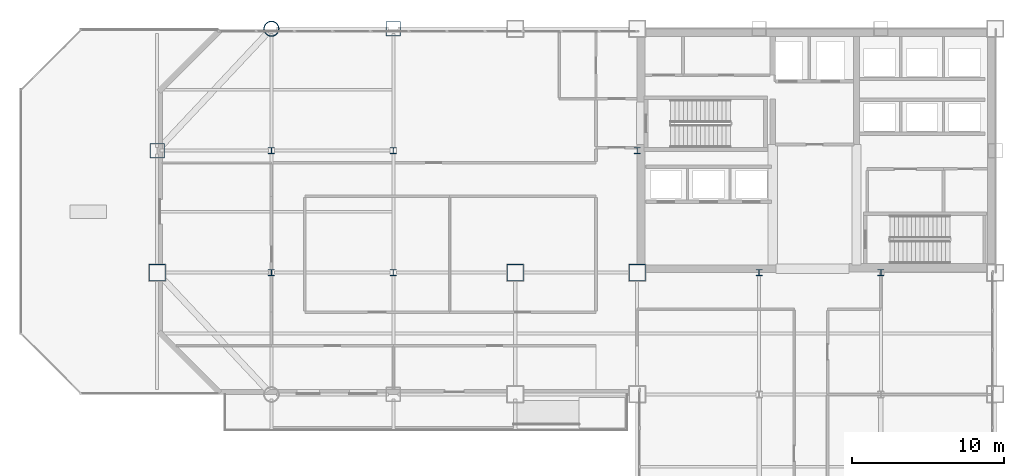
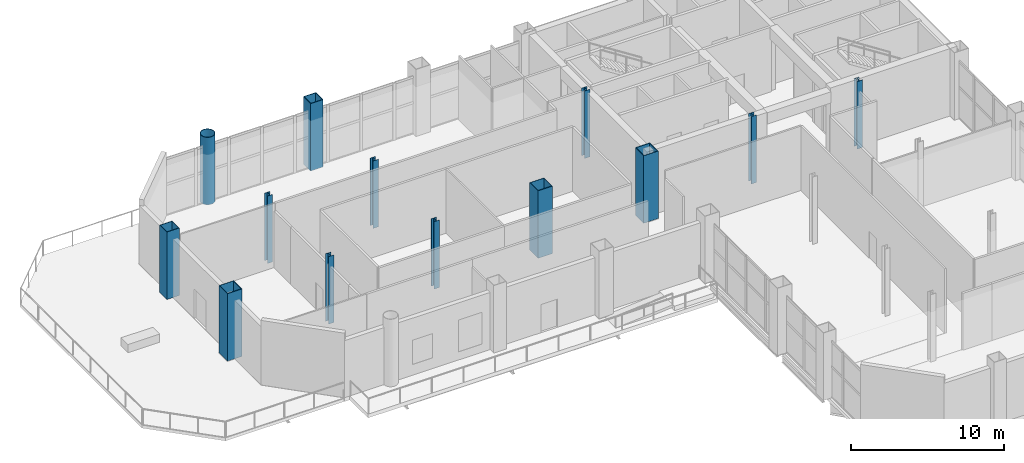
# One storey, part 3 of 22: 13 columns.
"""IFC4 building model written with IfcOpenShell, lengths in metres."""

from ifc_helpers import new_model, si_unit, direction, frame, origin, origin_2d, place, context, subcontext, project, spatial, hollow_rectangle, hollow_circle, i_section, extrude, material, material_profile, profile_set, type_object, element, save


model = new_model("IFC4")

# Units and contexts
model_context = context("Model", 3, precision=1e-05, world=origin(), true_north=direction((0.0, 1.0)))
body_context = subcontext(model_context, "Body", "Model", "MODEL_VIEW")
ifc_project = project(units=[si_unit("LENGTHUNIT", "METRE"), si_unit("AREAUNIT", "SQUARE_METRE"), si_unit("VOLUMEUNIT", "CUBIC_METRE"), si_unit("PLANEANGLEUNIT", "RADIAN"), si_unit("MASSUNIT", "GRAM", prefix="KILO")], contexts=[model_context])

# Site, building, storey
site_placement = place(None, origin())
site = spatial("IfcSite", under=ifc_project, at=site_placement, CompositionType="ELEMENT")
building_placement = place(site_placement, origin())
building = spatial("IfcBuilding", under=site, at=building_placement, Name="Qianrong Seaharbour Tower", CompositionType="ELEMENT")
storey_placement = place(building_placement, frame((0.0, 0.0, 113.60009765625)))
storey = spatial("IfcBuildingStorey", under=building, at=storey_placement, Name="L27", CompositionType="ELEMENT", Elevation=113.60009765625)

# Columns
ifc_material = material(Name="Structural steel SN490B", Category="steel")
ifc_material_profile_1 = material_profile(ifc_material, hollow_rectangle(XDim=1.10009765625, YDim=1.10009765625, WallThickness=0.0400390625, at=origin_2d()), Name="BOX1100x1100x40")
ifc_profile_set_1 = profile_set([ifc_material_profile_1], Name="Structural steel SN490B")
column_type_1 = type_object("IfcColumnType", Name="COL-CFT-1100", PredefinedType="COLUMN", material=ifc_profile_set_1)
for number, where, z_axis, x_axis, name in (
    (1, (9.0, 36.0, 0.0), (0.0, 0.0, 1.0), (1.0, 0.0, 0.0), "L27 Column MC-3 at G2/GF"),
    (2, (32.5, 36.0, 0.0), (0.0, 0.0, 1.0), (1.0, 0.0, 0.0), "L27 Column MC-3 at G5/GF"),
    (3, (40.5, 36.0, 0.0), (0.0, 0.0, 1.0), (1.0, 0.0, 0.0), "L27 Column MC-3 at G6/GF"),
):
    element("IfcColumn", number, at=place(storey_placement, frame(where, z_axis=z_axis, x_axis=x_axis)), inside=storey, type_object=column_type_1, Name=name, PredefinedType="COLUMN", context=body_context, shape_type="SweptSolid", body=[
        extrude(hollow_rectangle(XDim=1.10009765625, YDim=1.10009765625, WallThickness=0.0400390625, at=origin_2d()), origin(), (0.0, 0.0, 1.0), 5.39990234375),
    ])
ifc_material_profile_2 = material_profile(ifc_material, hollow_circle(Radius=0.5, WallThickness=0.035888671875, at=origin_2d()), Name="CHS1000x36")
ifc_profile_set_2 = profile_set([ifc_material_profile_2], Name="Structural steel SN490B")
column_type_2 = type_object("IfcColumnType", Name="COL-CHS-1000", PredefinedType="COLUMN", material=ifc_profile_set_2)
column_placement = place(storey_placement, frame((16.5, 52.0, 0.0), z_axis=(0.0, 0.0, 1.0), x_axis=(1.0, 0.0, 0.0)))
element("IfcColumn", 4, at=column_placement, inside=storey, type_object=column_type_2, Name="L27 Column CC-2 at G3/GH", PredefinedType="COLUMN", context=body_context, shape_type="SweptSolid", body=[
    extrude(hollow_circle(Radius=0.5, WallThickness=0.035888671875, at=origin_2d()), origin(), (0.0, 0.0, 1.0), 5.39990234375),
])
ifc_material_profile_3 = material_profile(ifc_material, i_section(OverallWidth=0.39990234375, OverallDepth=0.39990234375, WebThickness=0.012939453125, FlangeThickness=0.02099609375, FilletRadius=0.02197265625, at=origin_2d()), Name="H400x400x13x21")
ifc_profile_set_3 = profile_set([ifc_material_profile_3], Name="Structural steel SN490B")
column_type_3 = type_object("IfcColumnType", Name="COL-INT-H400", PredefinedType="COLUMN", material=ifc_profile_set_3)
for number, where, z_axis, x_axis, name in (
    (5, (16.5, 36.0, 0.0), (0.0, 0.0, 1.0), (1.0, 0.0, 0.0), "L27 Column IC-3 at G3/GF"),
    (6, (16.5, 44.0, 0.0), (0.0, 0.0, 1.0), (1.0, 0.0, 0.0), "L27 Column IC-3 at G3/GG"),
    (7, (24.5, 36.0, 0.0), (0.0, 0.0, 1.0), (1.0, 0.0, 0.0), "L27 Column IC-3 at G4/GF"),
    (8, (24.5, 44.0, 0.0), (0.0, 0.0, 1.0), (1.0, 0.0, 0.0), "L27 Column IC-3 at G4/GG"),
    (9, (40.5, 44.0, 0.0), (0.0, 0.0, 1.0), (1.0, 0.0, 0.0), "L27 Column IC-3 at G6/GG"),
    (10, (48.5, 36.0, 0.0), (0.0, 0.0, 1.0), (1.0, 0.0, 0.0), "L27 Column IC-3 at G7/GF"),
    (11, (56.5, 36.0, 0.0), (0.0, 0.0, 1.0), (1.0, 0.0, 0.0), "L27 Column IC-3 at G8/GF"),
):
    element("IfcColumn", number, at=place(storey_placement, frame(where, z_axis=z_axis, x_axis=x_axis)), inside=storey, type_object=column_type_3, Name=name, PredefinedType="COLUMN", context=body_context, shape_type="SweptSolid", body=[
        extrude(i_section(OverallWidth=0.39990234375, OverallDepth=0.39990234375, WebThickness=0.012939453125, FlangeThickness=0.02099609375, FilletRadius=0.02197265625, at=origin_2d()), origin(), (0.0, 0.0, 1.0), 5.39990234375),
    ])
ifc_material_profile_4 = material_profile(ifc_material, hollow_rectangle(XDim=0.949951171875, YDim=0.949951171875, WallThickness=0.035888671875, at=origin_2d()), Name="BOX950x950x36")
ifc_profile_set_4 = profile_set([ifc_material_profile_4], Name="Structural steel SN490B")
column_type_4 = type_object("IfcColumnType", Name="COL-PER-950", PredefinedType="COLUMN", material=ifc_profile_set_4)
for number, where, z_axis, x_axis, name in (
    (12, (9.0, 44.0, 0.0), (0.0, 0.0, 1.0), (1.0, 0.0, 0.0), "L27 Column PC-2 at G2/GG"),
    (13, (24.5, 52.0, 0.0), (0.0, 0.0, 1.0), (1.0, 0.0, 0.0), "L27 Column PC-2 at G4/GH"),
):
    element("IfcColumn", number, at=place(storey_placement, frame(where, z_axis=z_axis, x_axis=x_axis)), inside=storey, type_object=column_type_4, Name=name, PredefinedType="COLUMN", context=body_context, shape_type="SweptSolid", body=[
        extrude(hollow_rectangle(XDim=0.949951171875, YDim=0.949951171875, WallThickness=0.035888671875, at=origin_2d()), origin(), (0.0, 0.0, 1.0), 5.39990234375),
    ])

save(model, "model.ifc")
